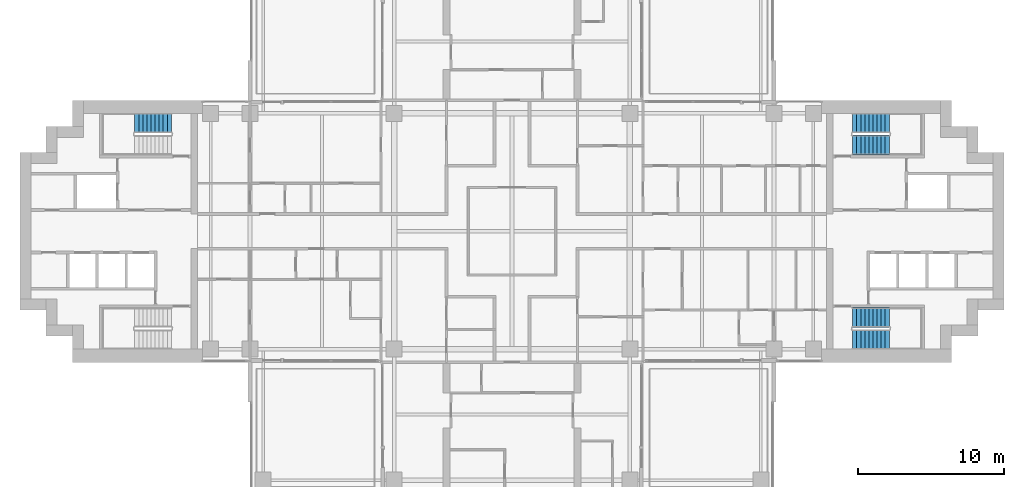
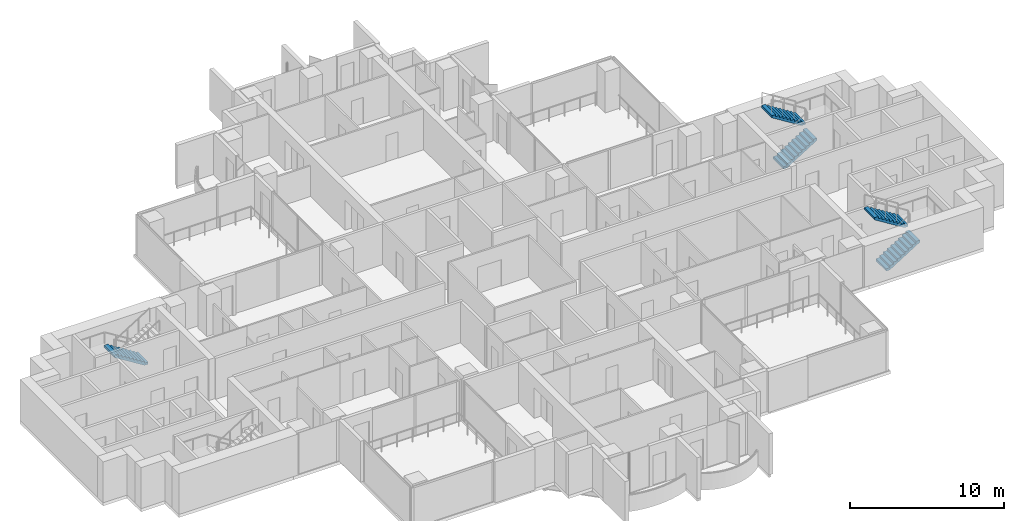
# One storey, part 15 of 19: 5 stair flights, 3 elements without a shape of their own.
"""IFC4 building model written with IfcOpenShell, lengths in metres."""

import ifcopenshell
import ifcopenshell.guid

model = None  # the IFC model being written
_history = None  # IfcOwnerHistory: only IFC2X3 demands one
_inside = {}  # id of a spatial element -> (the spatial element, [elements in it])
_under = {}  # id of a project, library or spatial element -> (it, [spatial elements below it])
_declared = {}  # id of a project -> (the project, [libraries it declares])
_typed = {}  # id of a type object -> (the type object, [elements of that type])
_made_of = {}  # id of a material, layer set ... -> (it, [elements and type objects made of it])


def new_model(schema):
    """Start an empty IFC model of exactly this schema.

    Asked for "IFC4X3", IfcOpenShell would pick the latest addendum, in which some entities
    have other attributes; the version numbers below select the first issue.
    IFC2X3 requires an IfcOwnerHistory on every rooted entity: one is made here for all.
    """
    global model, _history
    if schema == "IFC4X3":
        model = ifcopenshell.file(schema_version=(4, 3, 0, 0))
    else:
        model = ifcopenshell.file(schema=schema)
    _inside.clear()
    _under.clear()
    _declared.clear()
    _typed.clear()
    _made_of.clear()
    _history = None
    if model.schema == "IFC2X3":
        org = make("IfcOrganization", Name="unknown")
        user = make(
            "IfcPersonAndOrganization",
            ThePerson=make("IfcPerson", FamilyName="unknown"),
            TheOrganization=org,
        )
        app = make(
            "IfcApplication",
            ApplicationDeveloper=org,
            Version="unknown",
            ApplicationFullName="unknown",
            ApplicationIdentifier="unknown",
        )
        _history = make(
            "IfcOwnerHistory",
            OwningUser=user,
            OwningApplication=app,
            ChangeAction="ADDED",
            CreationDate=0,
        )
    return model


def make(cls, **values):
    """One entity of the class cls with the attributes given. An attribute that is None is left unset."""
    return model.create_entity(
        cls, **{name: value for name, value in values.items() if value is not None}
    )


def rooted(cls, **values):
    """An entity with a GlobalId (a new one), such as an element, a storey or a relation."""
    return make(cls, GlobalId=ifcopenshell.guid.new(), OwnerHistory=_history, **values)


def si_unit(unit_type, name, prefix=None):
    """IfcSIUnit, for example si_unit("LENGTHUNIT", "METRE", prefix="MILLI")."""
    return make("IfcSIUnit", UnitType=unit_type, Prefix=prefix, Name=name)


def assignment(units):
    """IfcUnitAssignment: the units of a project."""
    return None if units is None else make("IfcUnitAssignment", Units=units)


def point(xyz):
    """IfcCartesianPoint."""
    return None if xyz is None else make("IfcCartesianPoint", Coordinates=xyz)


def direction(xyz):
    """IfcDirection."""
    return None if xyz is None else make("IfcDirection", DirectionRatios=xyz)


def frame(location, z_axis=None, x_axis=None):
    """IfcAxis2Placement3D, a coordinate frame: its origin and axes. An axis left out is left unset."""
    return make(
        "IfcAxis2Placement3D",
        Location=point(location),
        Axis=direction(z_axis),
        RefDirection=direction(x_axis),
    )


def origin():
    """The frame at (0, 0, 0) with its axes left unset."""
    return frame((0.0, 0.0, 0.0))


def place(relative_to, where):
    """IfcLocalPlacement: puts the frame where relative to a parent placement (None: the world)."""
    return make(
        "IfcLocalPlacement", PlacementRelTo=relative_to, RelativePlacement=where
    )


def context(
    kind, dimensions, precision=None, world=None, true_north=None, identifier=None
):
    """IfcGeometricRepresentationContext, for example the 3D "Model" context."""
    return make(
        "IfcGeometricRepresentationContext",
        ContextIdentifier=identifier,
        ContextType=kind,
        CoordinateSpaceDimension=dimensions,
        Precision=precision,
        WorldCoordinateSystem=world,
        TrueNorth=true_north,
    )


def subcontext(parent, identifier, kind, view, scale=None):
    """IfcGeometricRepresentationSubContext, for example "Body" below "Model"."""
    return make(
        "IfcGeometricRepresentationSubContext",
        ContextIdentifier=identifier,
        ContextType=kind,
        ParentContext=parent,
        TargetScale=scale,
        TargetView=view,
    )


def project(units=None, contexts=None):
    """IfcProject with its units and contexts."""
    return rooted(
        "IfcProject",
        Name="project",
        RepresentationContexts=contexts,
        UnitsInContext=assignment(units),
    )


def spatial(cls, under=None, at=None, **own):
    """A site, building, storey or space (cls), placed at a placement, below another one or the project."""
    s = rooted(cls, ObjectPlacement=at, **own)
    if under is not None:
        _under.setdefault(under.id(), (under, []))[1].append(s)
    return s


def polyline(points):
    """IfcPolyline through the points."""
    return make("IfcPolyline", Points=[point(p) for p in points])


def outline(outer, holes=None, kind="AREA"):
    """IfcArbitraryClosedProfileDef: a profile drawn as a closed curve; with holes, ...WithVoids."""
    if holes is None:
        return make("IfcArbitraryClosedProfileDef", ProfileType=kind, OuterCurve=outer)
    return make(
        "IfcArbitraryProfileDefWithVoids",
        ProfileType=kind,
        OuterCurve=outer,
        InnerCurves=holes,
    )


def extrude(swept, where, along, depth):
    """IfcExtrudedAreaSolid: the profile swept, set in the frame where, extruded along a direction by depth."""
    return make(
        "IfcExtrudedAreaSolid",
        SweptArea=swept,
        Position=where,
        ExtrudedDirection=direction(along),
        Depth=depth,
    )


def shape(context_of_items, identifier, shape_type, items):
    """IfcShapeRepresentation: the items that make up one representation, for example the "Body"."""
    return make(
        "IfcShapeRepresentation",
        ContextOfItems=context_of_items,
        RepresentationIdentifier=identifier,
        RepresentationType=shape_type,
        Items=items,
    )


def material(Name=None, Category=None):
    """IfcMaterial."""
    return make("IfcMaterial", Name=Name, Category=Category)


def made_of(thing, what):
    """Note that an element or type object is made of a material, layer set ...; save() writes the relation."""
    if what is not None:
        _made_of.setdefault(what.id(), (what, []))[1].append(thing)
    return thing


def type_object(cls, material=None, **own):
    """A type object (cls), such as IfcWallType, which elements share."""
    return made_of(rooted(cls, **own), material)


def element(
    cls,
    number,
    at=None,
    inside=None,
    cuts=None,
    type_object=None,
    material=None,
    context=None,
    identifier="Body",
    shape_type=None,
    held_by="IfcProductDefinitionShape",
    body=None,
    shapes=None,
    **own,
):
    """One element of the class cls, such as IfcWall. Its Tag is "e" and its number.

    at: its placement. inside: the storey or other place that contains it. cuts: it is an
    opening in that element (IfcRelVoidsElement). A single representation is given by context,
    identifier, shape_type and body (its items); several are given by shapes. held_by: the class
    of the entity that holds the representations. save() writes the other relations.
    """
    e = rooted(cls, Tag="e%d" % number, ObjectPlacement=at, **own)
    if body is not None:
        shapes = [shape(context, identifier, shape_type, body)]
    if shapes is not None:
        e.Representation = make(held_by, Representations=shapes)
    if inside is not None:
        _inside.setdefault(inside.id(), (inside, []))[1].append(e)
    if cuts is not None:
        rooted(
            "IfcRelVoidsElement", RelatingBuildingElement=cuts, RelatedOpeningElement=e
        )
    if type_object is not None:
        _typed.setdefault(type_object.id(), (type_object, []))[1].append(e)
    return made_of(e, material)


def aggregate(whole, parts):
    """IfcRelAggregates: a whole, such as a stair, and the parts it consists of."""
    return rooted("IfcRelAggregates", RelatingObject=whole, RelatedObjects=parts)


def save(model, path):
    """Write the relations noted so far, then the file.

    IfcRelAggregates (storeys below a building ...), IfcRelContainedInSpatialStructure (elements
    in a storey), IfcRelDefinesByType, IfcRelAssociatesMaterial and IfcRelDeclares: one each for
    every whole, place, type object, material and project.
    """
    for whole, parts in _under.values():
        aggregate(whole, parts)
    for where, things in _inside.values():
        rooted(
            "IfcRelContainedInSpatialStructure",
            RelatedElements=things,
            RelatingStructure=where,
        )
    for kind, things in _typed.values():
        rooted("IfcRelDefinesByType", RelatedObjects=things, RelatingType=kind)
    for what, things in _made_of.values():
        rooted("IfcRelAssociatesMaterial", RelatedObjects=things, RelatingMaterial=what)
    for by, libraries in _declared.values():
        rooted("IfcRelDeclares", RelatingContext=by, RelatedDefinitions=libraries)
    model.write(path)


model = new_model("IFC4")

# Units and contexts
model_context = context("Model", 3, precision=1e-05, world=origin(), true_north=direction((0.0, 1.0)))
body_context = subcontext(model_context, "Body", "Model", "MODEL_VIEW")
ifc_project = project(units=[si_unit("LENGTHUNIT", "METRE"), si_unit("AREAUNIT", "SQUARE_METRE"), si_unit("VOLUMEUNIT", "CUBIC_METRE"), si_unit("PLANEANGLEUNIT", "RADIAN"), si_unit("MASSUNIT", "GRAM", prefix="KILO")], contexts=[model_context])

# Site, building, storey
site_placement = place(None, origin())
site = spatial("IfcSite", under=ifc_project, at=site_placement, CompositionType="ELEMENT")
building_placement = place(site_placement, origin())
building = spatial("IfcBuilding", under=site, at=building_placement, Name="Perihelion Cross Residences", CompositionType="ELEMENT")
storey_placement = place(building_placement, frame((0.0, 0.0, 119.89990234375)))
storey = spatial("IfcBuildingStorey", under=building, at=storey_placement, Name="L28", CompositionType="ELEMENT", Elevation=119.89990234375)

# Stair, stair flights
ifc_material_1 = material(Name="Concrete C40/50", Category="concrete")
stair_type = type_object("IfcStairType", Name="Exit stair, half-turn", PredefinedType="HALF_TURN_STAIR", material=ifc_material_1)
stair_1_placement = place(storey_placement, origin())
stair_1 = element("IfcStair", 1, at=stair_1_placement, inside=storey, type_object=stair_type, Name="L28 East core exit stair 1", PredefinedType="HALF_TURN_STAIR")
ifc_material_2 = material(Name="Concrete C40/50", Category="concrete")
stair_flight_type = type_object("IfcStairFlightType", Name="Exit stair flight", PredefinedType="STRAIGHT", material=ifc_material_2)
stair_flight_1_placement = place(storey_placement, frame((23.39990234375, 5.925048828125, 0.0), z_axis=(0.0, 0.0, 1.0), x_axis=(1.0, 0.0, 0.0)))
stair_flight_1 = element("IfcStairFlight", 2, at=stair_flight_1_placement, type_object=stair_flight_type, Name="ST-E1 flight 1", NumberOfRisers=10, NumberOfTreads=9, PredefinedType="STRAIGHT", RiserHeight=0.175, TreadLength=0.28, context=body_context, shape_type="SweptSolid", body=[
    extrude(outline(polyline([(0.0, 0.0), (0.0, 0.175048828125), (0.280029296875, 0.175048828125), (0.280029296875, 0.35009765625), (0.56005859375, 0.35009765625), (0.56005859375, 0.52490234375), (0.840087890625, 0.52490234375), (0.840087890625, 0.699951171875), (1.1201171875, 0.699951171875), (1.1201171875, 0.875), (1.39990234375, 0.875), (1.39990234375, 1.050048828125), (1.679931640625, 1.050048828125), (1.679931640625, 1.22509765625), (1.9599609375, 1.22509765625), (1.9599609375, 1.39990234375), (2.239990234375, 1.39990234375), (2.239990234375, 1.574951171875), (2.52001953125, 1.574951171875), (2.52001953125, 1.75), (2.52001953125, 1.398193359375), (0.28271484375, 0.0), (0.0, 0.0)])), frame((0.0, 0.675048828125, 0.0), z_axis=(0.0, -1.0, 0.0), x_axis=(1.0, 0.0, 0.0)), (0.0, 0.0, 1.0), 1.35009765625),
])
stair_flight_2_placement = place(storey_placement, frame((25.919921875, 7.425048828125, 1.75), z_axis=(0.0, 0.0, 1.0), x_axis=(-1.0, 0.0, 0.0)))
stair_flight_2 = element("IfcStairFlight", 3, at=stair_flight_2_placement, type_object=stair_flight_type, Name="ST-E1 flight 2", NumberOfRisers=10, NumberOfTreads=9, PredefinedType="STRAIGHT", RiserHeight=0.175, TreadLength=0.28, context=body_context, shape_type="SweptSolid", body=[
    extrude(outline(polyline([(0.0, 0.0), (0.0, 0.175048828125), (0.280029296875, 0.175048828125), (0.280029296875, 0.35009765625), (0.56005859375, 0.35009765625), (0.56005859375, 0.52490234375), (0.840087890625, 0.52490234375), (0.840087890625, 0.699951171875), (1.1201171875, 0.699951171875), (1.1201171875, 0.875), (1.39990234375, 0.875), (1.39990234375, 1.050048828125), (1.679931640625, 1.050048828125), (1.679931640625, 1.22509765625), (1.9599609375, 1.22509765625), (1.9599609375, 1.39990234375), (2.239990234375, 1.39990234375), (2.239990234375, 1.574951171875), (2.52001953125, 1.574951171875), (2.52001953125, 1.75), (2.52001953125, 1.398193359375), (0.28271484375, 0.0), (0.0, 0.0)])), frame((0.0, 0.675048828125, 0.0), z_axis=(0.0, -1.0, 0.0), x_axis=(1.0, 0.0, 0.0)), (0.0, 0.0, 1.0), 1.35009765625),
])
aggregate(stair_1, [stair_flight_1, stair_flight_2])

stair_2_placement = place(storey_placement, origin())
stair_2 = element("IfcStair", 4, at=stair_2_placement, inside=storey, type_object=stair_type, Name="L28 East core exit stair 2", PredefinedType="HALF_TURN_STAIR")
stair_flight_3_placement = place(storey_placement, frame((23.39990234375, -7.425048828125, 0.0), z_axis=(0.0, 0.0, 1.0), x_axis=(1.0, 0.0, 0.0)))
stair_flight_3 = element("IfcStairFlight", 5, at=stair_flight_3_placement, type_object=stair_flight_type, Name="ST-E2 flight 1", NumberOfRisers=10, NumberOfTreads=9, PredefinedType="STRAIGHT", RiserHeight=0.175, TreadLength=0.28, context=body_context, shape_type="SweptSolid", body=[
    extrude(outline(polyline([(0.0, 0.0), (0.0, 0.175048828125), (0.280029296875, 0.175048828125), (0.280029296875, 0.35009765625), (0.56005859375, 0.35009765625), (0.56005859375, 0.52490234375), (0.840087890625, 0.52490234375), (0.840087890625, 0.699951171875), (1.1201171875, 0.699951171875), (1.1201171875, 0.875), (1.39990234375, 0.875), (1.39990234375, 1.050048828125), (1.679931640625, 1.050048828125), (1.679931640625, 1.22509765625), (1.9599609375, 1.22509765625), (1.9599609375, 1.39990234375), (2.239990234375, 1.39990234375), (2.239990234375, 1.574951171875), (2.52001953125, 1.574951171875), (2.52001953125, 1.75), (2.52001953125, 1.398193359375), (0.28271484375, 0.0), (0.0, 0.0)])), frame((0.0, 0.675048828125, 0.0), z_axis=(0.0, -1.0, 0.0), x_axis=(1.0, 0.0, 0.0)), (0.0, 0.0, 1.0), 1.35009765625),
])
stair_flight_4_placement = place(storey_placement, frame((25.919921875, -5.925048828125, 1.75), z_axis=(0.0, 0.0, 1.0), x_axis=(-1.0, 0.0, 0.0)))
stair_flight_4 = element("IfcStairFlight", 6, at=stair_flight_4_placement, type_object=stair_flight_type, Name="ST-E2 flight 2", NumberOfRisers=10, NumberOfTreads=9, PredefinedType="STRAIGHT", RiserHeight=0.175, TreadLength=0.28, context=body_context, shape_type="SweptSolid", body=[
    extrude(outline(polyline([(0.0, 0.0), (0.0, 0.175048828125), (0.280029296875, 0.175048828125), (0.280029296875, 0.35009765625), (0.56005859375, 0.35009765625), (0.56005859375, 0.52490234375), (0.840087890625, 0.52490234375), (0.840087890625, 0.699951171875), (1.1201171875, 0.699951171875), (1.1201171875, 0.875), (1.39990234375, 0.875), (1.39990234375, 1.050048828125), (1.679931640625, 1.050048828125), (1.679931640625, 1.22509765625), (1.9599609375, 1.22509765625), (1.9599609375, 1.39990234375), (2.239990234375, 1.39990234375), (2.239990234375, 1.574951171875), (2.52001953125, 1.574951171875), (2.52001953125, 1.75), (2.52001953125, 1.398193359375), (0.28271484375, 0.0), (0.0, 0.0)])), frame((0.0, 0.675048828125, 0.0), z_axis=(0.0, -1.0, 0.0), x_axis=(1.0, 0.0, 0.0)), (0.0, 0.0, 1.0), 1.35009765625),
])
aggregate(stair_2, [stair_flight_3, stair_flight_4])

# Stair, stair flight
stair_3_placement = place(storey_placement, origin())
stair_3 = element("IfcStair", 7, at=stair_3_placement, inside=storey, type_object=stair_type, Name="L28 West core exit stair 1", PredefinedType="HALF_TURN_STAIR")
stair_flight_5_placement = place(storey_placement, frame((-23.39990234375, 7.425048828125, 0.0), z_axis=(0.0, 0.0, 1.0), x_axis=(-1.0, 0.0, 0.0)))
stair_flight_5 = element("IfcStairFlight", 8, at=stair_flight_5_placement, type_object=stair_flight_type, Name="ST-W1 flight 1", NumberOfRisers=10, NumberOfTreads=9, PredefinedType="STRAIGHT", RiserHeight=0.175, TreadLength=0.28, context=body_context, shape_type="SweptSolid", body=[
    extrude(outline(polyline([(0.0, 0.0), (0.0, 0.175048828125), (0.280029296875, 0.175048828125), (0.280029296875, 0.35009765625), (0.56005859375, 0.35009765625), (0.56005859375, 0.52490234375), (0.840087890625, 0.52490234375), (0.840087890625, 0.699951171875), (1.1201171875, 0.699951171875), (1.1201171875, 0.875), (1.39990234375, 0.875), (1.39990234375, 1.050048828125), (1.679931640625, 1.050048828125), (1.679931640625, 1.22509765625), (1.9599609375, 1.22509765625), (1.9599609375, 1.39990234375), (2.239990234375, 1.39990234375), (2.239990234375, 1.574951171875), (2.52001953125, 1.574951171875), (2.52001953125, 1.75), (2.52001953125, 1.398193359375), (0.28271484375, 0.0), (0.0, 0.0)])), frame((0.0, 0.675048828125, 0.0), z_axis=(0.0, -1.0, 0.0), x_axis=(1.0, 0.0, 0.0)), (0.0, 0.0, 1.0), 1.35009765625),
])
aggregate(stair_3, [stair_flight_5])

save(model, "model.ifc")
